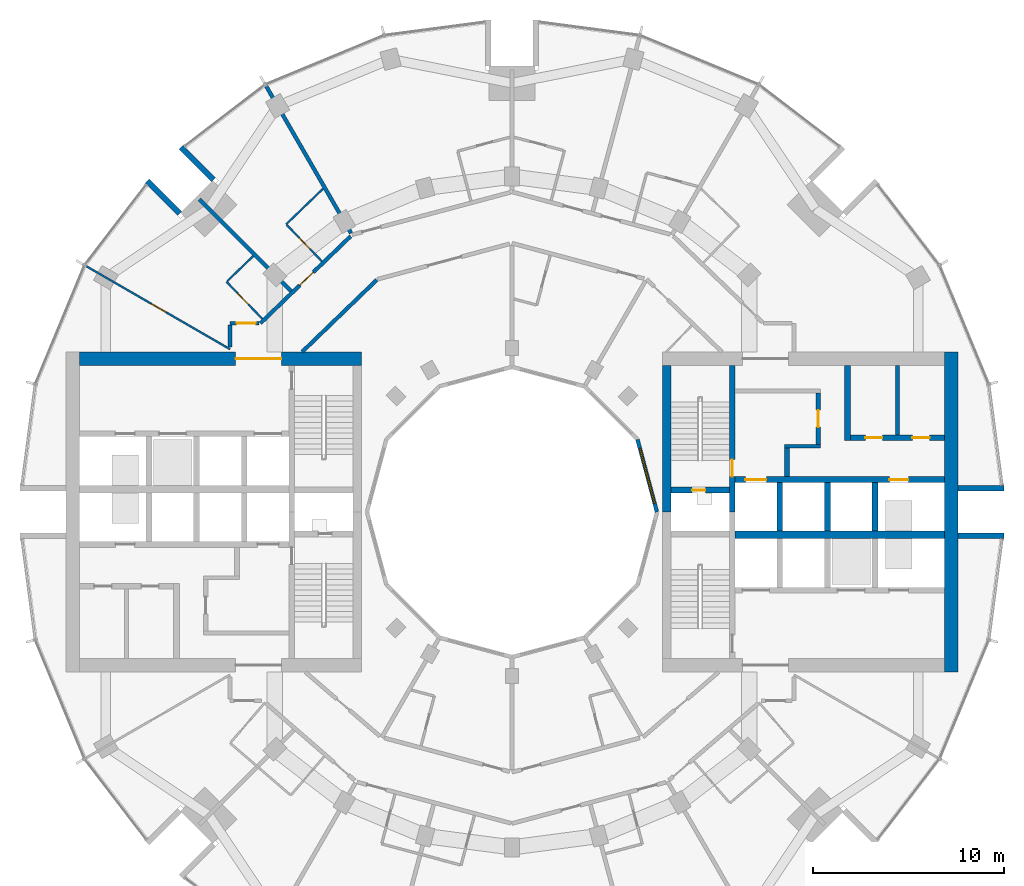
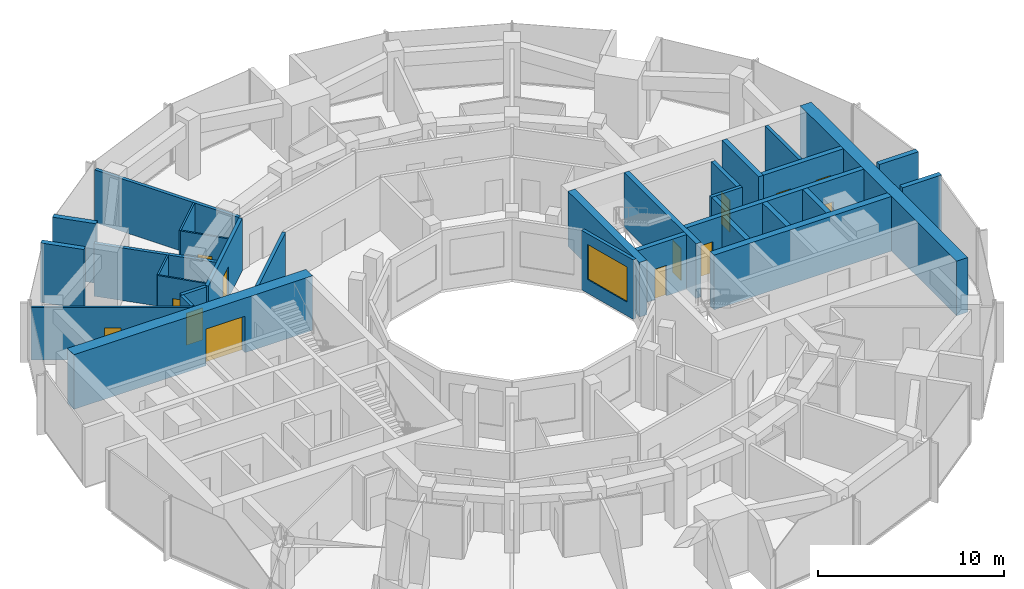
# One storey, part 11 of 15: 32 walls, 13 doors, 1 window, 14 openings.
"""IFC4 building model written with IfcOpenShell, lengths in metres."""

from ifc_helpers import new_model, si_unit, direction, frame, frame_2d, origin, place, context, subcontext, project, spatial, rectangle, extrude, material, layer, layer_set, type_object, element, fill, save


model = new_model("IFC4")

# Units and contexts
model_context = context("Model", 3, precision=1e-05, world=origin(), true_north=direction((0.0, 1.0)))
body_context = subcontext(model_context, "Body", "Model", "MODEL_VIEW")
ifc_project = project(units=[si_unit("LENGTHUNIT", "METRE"), si_unit("AREAUNIT", "SQUARE_METRE"), si_unit("VOLUMEUNIT", "CUBIC_METRE"), si_unit("PLANEANGLEUNIT", "RADIAN"), si_unit("MASSUNIT", "GRAM", prefix="KILO")], contexts=[model_context])

# Site, building, storey
site_placement = place(None, origin())
site = spatial("IfcSite", under=ifc_project, at=site_placement, CompositionType="ELEMENT")
building_placement = place(site_placement, origin())
building = spatial("IfcBuilding", under=site, at=building_placement, Name="Torre Brocal", CompositionType="ELEMENT")
storey_placement = place(building_placement, frame((0.0, 0.0, 122.39990234375)))
storey = spatial("IfcBuildingStorey", under=building, at=storey_placement, Name="L28", CompositionType="ELEMENT", Elevation=122.39990234375)

# Walls
ifc_material_1 = material(Name="Masonry block", Category="masonry")
ifc_layer_1 = layer(ifc_material_1, 0.199951171875)
ifc_layer_set_1 = layer_set([ifc_layer_1], Name="Masonry block")
wall_type_1 = type_object("IfcWallType", Name="CORE PARTITION 200", PredefinedType="PARTITIONING", material=ifc_layer_set_1)
wall_1_placement = place(storey_placement, frame((100.22509765625, 79.050048828125, 0.0), z_axis=(0.0, 0.0, 1.0), x_axis=(0.0, 1.0, 0.0)))
element("IfcWall", 1, at=wall_1_placement, inside=storey, type_object=wall_type_1, Name="Wall CP200", PredefinedType="PARTITIONING", context=body_context, shape_type="SweptSolid", body=[
    extrude(rectangle(XDim=3.64990234375, YDim=0.199951171875, at=frame_2d((1.824951171875, 0.0))), origin(), (0.0, 0.0, 1.0), 3.580078125),
])
ifc_material_2 = material(Name="Concrete C70", Category="concrete")
ifc_layer_2 = layer(ifc_material_2, 0.199951171875)
ifc_layer_set_2 = layer_set([ifc_layer_2], Name="Concrete C70")
wall_type_2 = type_object("IfcWallType", Name="CORE WALL 200 C70", PredefinedType="SHEAR", material=ifc_layer_set_2)
wall_2_placement = place(storey_placement, frame((94.300048828125, 78.449951171875, 0.0), z_axis=(0.0, 0.0, 1.0), x_axis=(1.0, 0.0, 0.0)))
element("IfcWall", 2, at=wall_2_placement, inside=storey, type_object=wall_type_2, Name="Wall CW200-70", PredefinedType="SHEAR", context=body_context, shape_type="SweptSolid", body=[
    extrude(rectangle(XDim=1.89990234375, YDim=0.199951171875, at=frame_2d((0.949951171875, 0.0))), origin(), (0.0, 0.0, 1.0), 3.580078125),
])

# Wall, opening, door
ifc_material_3 = material(Name="Concrete C70", Category="concrete")
ifc_layer_3 = layer(ifc_material_3, 0.25)
ifc_layer_set_3 = layer_set([ifc_layer_3], Name="Concrete C70")
wall_type_3 = type_object("IfcWallType", Name="CORE WALL 250 C70", PredefinedType="SHEAR", material=ifc_layer_set_3)
wall_3_placement = place(storey_placement, frame((96.074951171875, 78.550048828125, 0.0), z_axis=(0.0, 0.0, 1.0), x_axis=(0.0, 1.0, 0.0)))
wall_3 = element("IfcWall", 3, at=wall_3_placement, inside=storey, type_object=wall_type_3, Name="Wall CW250-70", PredefinedType="SHEAR", context=body_context, shape_type="SweptSolid", body=[
    extrude(rectangle(XDim=2.699951171875, YDim=0.25, at=frame_2d((1.35009765625, 0.0))), origin(), (0.0, 0.0, 1.0), 3.580078125),
])
opening_1_placement = place(wall_3_placement, frame((0.89990234375, 0.0, 0.0)))
opening_1 = element("IfcOpeningElement", 4, at=opening_1_placement, cuts=wall_3, Name="Opening E-D15", PredefinedType="OPENING", context=body_context, shape_type="SweptSolid", body=[
    extrude(rectangle(XDim=0.89990234375, YDim=2.10009765625, at=frame_2d((0.449951171875, 1.050048828125))), frame((0.0, 0.135009765625, 0.0), z_axis=(0.0, -1.0, 0.0), x_axis=(1.0, 0.0, 0.0)), (0.0, 0.0, 1.0), 0.27001953125),
])
ifc_material_4 = material(Name="Steel A653", Category="steel")
door_type_1 = type_object("IfcDoorType", Name="LOBBY DOOR FD120 900X2100", OperationType="SINGLE_SWING_RIGHT", PredefinedType="DOOR", material=ifc_material_4)
door_1_placement = place(opening_1_placement, origin())
door_1 = element("IfcDoor", 5, at=door_1_placement, inside=storey, type_object=door_type_1, Name="Door E-D15", OperationType="SINGLE_SWING_LEFT", OverallHeight=2.10009765625, OverallWidth=0.89990234375, PredefinedType="DOOR", context=body_context, shape_type="SweptSolid", body=[
    extrude(rectangle(XDim=0.89990234375, YDim=2.10009765625, at=frame_2d((0.449951171875, 1.050048828125))), frame((0.0, 0.02490234375, 0.0), z_axis=(0.0, -1.0, 0.0), x_axis=(1.0, 0.0, 0.0)), (0.0, 0.0, 1.0), 0.050048828125),
])
fill(opening_1, door_1)

# Wall
wall_4_placement = place(storey_placement, frame((94.425048828125, 76.85009765625, 0.0), z_axis=(0.0, 0.0, 1.0), x_axis=(0.0, 1.0, 0.0)))
element("IfcWall", 6, at=wall_4_placement, inside=storey, type_object=wall_type_3, Name="Wall CW250-70", PredefinedType="SHEAR", context=body_context, shape_type="SweptSolid", body=[
    extrude(rectangle(XDim=1.5, YDim=0.25, at=frame_2d((0.75, 0.0))), origin(), (0.0, 0.0, 1.0), 3.580078125),
])

# Wall, opening, door
ifc_material_5 = material(Name="Concrete C70", Category="concrete")
ifc_layer_4 = layer(ifc_material_5, 0.300048828125)
ifc_layer_set_4 = layer_set([ifc_layer_4], Name="Concrete C70")
wall_type_4 = type_object("IfcWallType", Name="CORE WALL 300 C70", PredefinedType="SHEAR", material=ifc_layer_set_4)
wall_5_placement = place(storey_placement, frame((91.550048828125, 75.0, 0.0), z_axis=(0.0, 0.0, 1.0), x_axis=(0.0, 1.0, 0.0)))
wall_5 = element("IfcWall", 7, at=wall_5_placement, inside=storey, type_object=wall_type_4, Name="Wall CW300-70", PredefinedType="SHEAR", context=body_context, shape_type="SweptSolid", body=[
    extrude(rectangle(XDim=7.699951171875, YDim=0.300048828125, at=frame_2d((3.85009765625, 0.0))), origin(), (0.0, 0.0, 1.0), 3.580078125),
])
opening_2_placement = place(wall_5_placement, frame((1.85009765625, 0.0, 0.0)))
opening_2 = element("IfcOpeningElement", 8, at=opening_2_placement, cuts=wall_5, Name="Opening E-D02", PredefinedType="OPENING", context=body_context, shape_type="SweptSolid", body=[
    extrude(rectangle(XDim=0.89990234375, YDim=2.10009765625, at=frame_2d((0.449951171875, 1.050048828125))), frame((0.0, 0.159912109375, 0.0), z_axis=(0.0, -1.0, 0.0), x_axis=(1.0, 0.0, 0.0)), (0.0, 0.0, 1.0), 0.320068359375),
])
ifc_material_6 = material(Name="Steel A653", Category="steel")
door_type_2 = type_object("IfcDoorType", Name="STAIR DOOR FD120 900X2100", OperationType="SINGLE_SWING_RIGHT", PredefinedType="DOOR", material=ifc_material_6)
door_2_placement = place(opening_2_placement, origin())
door_2 = element("IfcDoor", 9, at=door_2_placement, inside=storey, type_object=door_type_2, Name="Door E-D02", OperationType="SINGLE_SWING_LEFT", OverallHeight=2.10009765625, OverallWidth=0.89990234375, PredefinedType="DOOR", context=body_context, shape_type="SweptSolid", body=[
    extrude(rectangle(XDim=0.89990234375, YDim=2.10009765625, at=frame_2d((0.449951171875, 1.050048828125))), frame((0.0, 0.02490234375, 0.0), z_axis=(0.0, -1.0, 0.0), x_axis=(1.0, 0.0, 0.0)), (0.0, 0.0, 1.0), 0.050048828125),
])
fill(opening_2, door_2)

wall_6_placement = place(storey_placement, frame((88.35009765625, 76.14990234375, 0.0), z_axis=(0.0, 0.0, 1.0), x_axis=(1.0, 0.0, 0.0)))
wall_6 = element("IfcWall", 10, at=wall_6_placement, inside=storey, type_object=wall_type_4, Name="Wall CW300-70", PredefinedType="SHEAR", context=body_context, shape_type="SweptSolid", body=[
    extrude(rectangle(XDim=3.0498046875, YDim=0.300048828125, at=frame_2d((1.52490234375, 0.0))), origin(), (0.0, 0.0, 1.0), 3.580078125),
])
opening_3_placement = place(wall_6_placement, frame((1.10009765625, 0.0, 0.0)))
opening_3 = element("IfcOpeningElement", 11, at=opening_3_placement, cuts=wall_6, Name="Opening E-D01", PredefinedType="OPENING", context=body_context, shape_type="SweptSolid", body=[
    extrude(rectangle(XDim=0.699951171875, YDim=2.0, at=frame_2d((0.35009765625, 1.0))), frame((0.0, 0.159912109375, 0.0), z_axis=(0.0, -1.0, 0.0), x_axis=(1.0, 0.0, 0.0)), (0.0, 0.0, 1.0), 0.320068359375),
])
ifc_material_7 = material(Name="Steel A653", Category="steel")
door_type_3 = type_object("IfcDoorType", Name="RISER DOOR FD120 700X2000", OperationType="SINGLE_SWING_LEFT", PredefinedType="DOOR", material=ifc_material_7)
door_3_placement = place(opening_3_placement, frame((0.699951171875, 0.0, 0.0), z_axis=(0.0, 0.0, 1.0), x_axis=(-1.0, 0.0, 0.0)))
door_3 = element("IfcDoor", 12, at=door_3_placement, inside=storey, type_object=door_type_3, Name="Door E-D01", OperationType="SINGLE_SWING_RIGHT", OverallHeight=2.0, OverallWidth=0.699951171875, PredefinedType="DOOR", context=body_context, shape_type="SweptSolid", body=[
    extrude(rectangle(XDim=0.699951171875, YDim=2.0, at=frame_2d((0.35009765625, 1.0))), frame((0.0, 0.02490234375, 0.0), z_axis=(0.0, -1.0, 0.0), x_axis=(1.0, 0.0, 0.0)), (0.0, 0.0, 1.0), 0.050048828125),
])
fill(opening_3, door_3)

# Wall, openings, doors
wall_7_placement = place(storey_placement, frame((91.699951171875, 76.699951171875, 0.0), z_axis=(0.0, 0.0, 1.0), x_axis=(1.0, 0.0, 0.0)))
wall_7 = element("IfcWall", 13, at=wall_7_placement, inside=storey, type_object=wall_type_4, Name="Wall CW300-70", PredefinedType="SHEAR", context=body_context, shape_type="SweptSolid", body=[
    extrude(rectangle(XDim=11.0, YDim=0.300048828125, at=frame_2d((5.5, 0.0))), origin(), (0.0, 0.0, 1.0), 3.580078125),
])
opening_4_placement = place(wall_7_placement, frame((0.550048828125, 0.0, 0.0)))
opening_4 = element("IfcOpeningElement", 14, at=opening_4_placement, cuts=wall_7, Name="Opening LD", PredefinedType="OPENING", context=body_context, shape_type="SweptSolid", body=[
    extrude(rectangle(XDim=1.10009765625, YDim=2.10009765625, at=frame_2d((0.550048828125, 1.050048828125))), frame((0.0, 0.159912109375, 0.0), z_axis=(0.0, -1.0, 0.0), x_axis=(1.0, 0.0, 0.0)), (0.0, 0.0, 1.0), 0.320068359375),
])
opening_5_placement = place(wall_7_placement, frame((8.10009765625, 0.0, 0.0)))
opening_5 = element("IfcOpeningElement", 15, at=opening_5_placement, cuts=wall_7, Name="Opening LD10", PredefinedType="OPENING", context=body_context, shape_type="SweptSolid", body=[
    extrude(rectangle(XDim=1.0, YDim=2.10009765625, at=frame_2d((0.5, 1.050048828125))), frame((0.0, 0.159912109375, 0.0), z_axis=(0.0, -1.0, 0.0), x_axis=(1.0, 0.0, 0.0)), (0.0, 0.0, 1.0), 0.320068359375),
])
ifc_material_8 = material(Name="Stainless steel AISI 316", Category="steel")
door_type_4 = type_object("IfcDoorType", Name="LIFT LANDING DOOR 1000X2100", OperationType="DOUBLE_DOOR_SLIDING", PredefinedType="DOOR", material=ifc_material_8)
door_4_placement = place(opening_5_placement, origin())
door_4 = element("IfcDoor", 16, at=door_4_placement, inside=storey, type_object=door_type_4, Name="Door LD10", OperationType="DOUBLE_DOOR_SLIDING", OverallHeight=2.10009765625, OverallWidth=1.0, PredefinedType="DOOR", context=body_context, shape_type="SweptSolid", body=[
    extrude(rectangle(XDim=1.0, YDim=2.10009765625, at=frame_2d((0.5, 1.050048828125))), frame((0.0, 0.02490234375, 0.0), z_axis=(0.0, -1.0, 0.0), x_axis=(1.0, 0.0, 0.0)), (0.0, 0.0, 1.0), 0.050048828125),
])
fill(opening_5, door_4)
ifc_material_9 = material(Name="Stainless steel AISI 316", Category="steel")
door_type_5 = type_object("IfcDoorType", Name="LIFT LANDING DOOR 1100X2100", OperationType="DOUBLE_DOOR_SLIDING", PredefinedType="DOOR", material=ifc_material_9)
door_5_placement = place(opening_4_placement, origin())
door_5 = element("IfcDoor", 17, at=door_5_placement, inside=storey, type_object=door_type_5, Name="Door LD", OperationType="DOUBLE_DOOR_SLIDING", OverallHeight=2.10009765625, OverallWidth=1.10009765625, PredefinedType="DOOR", context=body_context, shape_type="SweptSolid", body=[
    extrude(rectangle(XDim=1.10009765625, YDim=2.10009765625, at=frame_2d((0.550048828125, 1.050048828125))), frame((0.0, 0.02490234375, 0.0), z_axis=(0.0, -1.0, 0.0), x_axis=(1.0, 0.0, 0.0)), (0.0, 0.0, 1.0), 0.050048828125),
])
fill(opening_4, door_5)

# Walls
for number, where, z_axis, x_axis, name in (
    (18, (94.050048828125, 74.0, 0.0), (0.0, 0.0, 1.0), (0.0, 1.0, 0.0), "Wall CW300-70"),
    (19, (96.550048828125, 74.0, 0.0), (0.0, 0.0, 1.0), (0.0, 1.0, 0.0), "Wall CW300-70"),
    (20, (99.050048828125, 74.0, 0.0), (0.0, 0.0, 1.0), (0.0, 1.0, 0.0), "Wall CW300-70"),
):
    element("IfcWall", number, at=place(storey_placement, frame(where, z_axis=z_axis, x_axis=x_axis)), inside=storey, type_object=wall_type_4, Name=name, PredefinedType="SHEAR", context=body_context, shape_type="SweptSolid", body=[
        extrude(rectangle(XDim=2.550048828125, YDim=0.300048828125, at=frame_2d((1.27490234375, 0.0))), origin(), (0.0, 0.0, 1.0), 3.580078125),
    ])
wall_8_placement = place(storey_placement, frame((97.60009765625, 78.75, 0.0), z_axis=(0.0, 0.0, 1.0), x_axis=(0.0, 1.0, 0.0)))
element("IfcWall", 21, at=wall_8_placement, inside=storey, type_object=wall_type_4, Name="Wall CW300-70", PredefinedType="SHEAR", context=body_context, shape_type="SweptSolid", body=[
    extrude(rectangle(XDim=3.949951171875, YDim=0.300048828125, at=frame_2d((1.97509765625, 0.0))), origin(), (0.0, 0.0, 1.0), 3.580078125),
])

# Wall, openings, doors
wall_9_placement = place(storey_placement, frame((97.75, 78.89990234375, 0.0), z_axis=(0.0, 0.0, 1.0), x_axis=(1.0, 0.0, 0.0)))
wall_9 = element("IfcWall", 22, at=wall_9_placement, inside=storey, type_object=wall_type_4, Name="Wall CW300-70", PredefinedType="SHEAR", context=body_context, shape_type="SweptSolid", body=[
    extrude(rectangle(XDim=4.949951171875, YDim=0.300048828125, at=frame_2d((2.47509765625, 0.0))), origin(), (0.0, 0.0, 1.0), 3.580078125),
])
opening_6_placement = place(wall_9_placement, frame((0.78759765625, 0.0, 0.0)))
opening_6 = element("IfcOpeningElement", 23, at=opening_6_placement, cuts=wall_9, Name="Opening E-D05", PredefinedType="OPENING", context=body_context, shape_type="SweptSolid", body=[
    extrude(rectangle(XDim=0.89990234375, YDim=2.10009765625, at=frame_2d((0.449951171875, 1.050048828125))), frame((0.0, 0.159912109375, 0.0), z_axis=(0.0, -1.0, 0.0), x_axis=(1.0, 0.0, 0.0)), (0.0, 0.0, 1.0), 0.320068359375),
])
opening_7_placement = place(wall_9_placement, frame((3.262451171875, 0.0, 0.0)))
opening_7 = element("IfcOpeningElement", 24, at=opening_7_placement, cuts=wall_9, Name="Opening E-D06", PredefinedType="OPENING", context=body_context, shape_type="SweptSolid", body=[
    extrude(rectangle(XDim=0.89990234375, YDim=2.10009765625, at=frame_2d((0.449951171875, 1.050048828125))), frame((0.0, 0.159912109375, 0.0), z_axis=(0.0, -1.0, 0.0), x_axis=(1.0, 0.0, 0.0)), (0.0, 0.0, 1.0), 0.320068359375),
])
ifc_material_10 = material(Name="Steel A653", Category="steel")
door_type_6 = type_object("IfcDoorType", Name="ROOM DOOR FD30S 900X2100", OperationType="SINGLE_SWING_LEFT", PredefinedType="DOOR", material=ifc_material_10)
door_6_placement = place(opening_6_placement, origin())
door_6 = element("IfcDoor", 25, at=door_6_placement, inside=storey, type_object=door_type_6, Name="Door E-D05", OperationType="SINGLE_SWING_RIGHT", OverallHeight=2.10009765625, OverallWidth=0.89990234375, PredefinedType="DOOR", context=body_context, shape_type="SweptSolid", body=[
    extrude(rectangle(XDim=0.89990234375, YDim=2.10009765625, at=frame_2d((0.449951171875, 1.050048828125))), frame((0.0, 0.02490234375, 0.0), z_axis=(0.0, -1.0, 0.0), x_axis=(1.0, 0.0, 0.0)), (0.0, 0.0, 1.0), 0.050048828125),
])
fill(opening_6, door_6)
door_7_placement = place(opening_7_placement, origin())
door_7 = element("IfcDoor", 26, at=door_7_placement, inside=storey, type_object=door_type_6, Name="Door E-D06", OperationType="SINGLE_SWING_LEFT", OverallHeight=2.10009765625, OverallWidth=0.89990234375, PredefinedType="DOOR", context=body_context, shape_type="SweptSolid", body=[
    extrude(rectangle(XDim=0.89990234375, YDim=2.10009765625, at=frame_2d((0.449951171875, 1.050048828125))), frame((0.0, 0.02490234375, 0.0), z_axis=(0.0, -1.0, 0.0), x_axis=(1.0, 0.0, 0.0)), (0.0, 0.0, 1.0), 0.050048828125),
])
fill(opening_7, door_7)

# Walls
ifc_material_11 = material(Name="Concrete C70", Category="concrete")
ifc_layer_5 = layer(ifc_material_11, 0.39990234375)
ifc_layer_set_5 = layer_set([ifc_layer_5], Name="Concrete C70")
wall_type_5 = type_object("IfcWallType", Name="CORE WALL 400 C70", PredefinedType="SHEAR", material=ifc_layer_set_5)
wall_10_placement = place(storey_placement, frame((91.699951171875, 73.800048828125, 0.0), z_axis=(0.0, 0.0, 1.0), x_axis=(1.0, 0.0, 0.0)))
element("IfcWall", 27, at=wall_10_placement, inside=storey, type_object=wall_type_5, Name="Wall CW400-70", PredefinedType="SHEAR", context=body_context, shape_type="SweptSolid", body=[
    extrude(rectangle(XDim=11.0, YDim=0.39990234375, at=frame_2d((5.5, 0.0))), origin(), (0.0, 0.0, 1.0), 3.580078125),
])
ifc_material_12 = material(Name="Concrete C70", Category="concrete")
ifc_layer_6 = layer(ifc_material_12, 0.449951171875)
ifc_layer_set_6 = layer_set([ifc_layer_6], Name="Concrete C70")
wall_type_6 = type_object("IfcWallType", Name="CORE WALL 450 C70", PredefinedType="SHEAR", material=ifc_layer_set_6)
wall_11_placement = place(storey_placement, frame((88.125, 75.0, 0.0), z_axis=(0.0, 0.0, 1.0), x_axis=(0.0, 1.0, 0.0)))
element("IfcWall", 28, at=wall_11_placement, inside=storey, type_object=wall_type_6, Name="Wall CW450-70", PredefinedType="SHEAR", context=body_context, shape_type="SweptSolid", body=[
    extrude(rectangle(XDim=7.699951171875, YDim=0.449951171875, at=frame_2d((3.85009765625, 0.0))), origin(), (0.0, 0.0, 1.0), 3.580078125),
])
ifc_material_13 = material(Name="Concrete C70", Category="concrete")
ifc_layer_7 = layer(ifc_material_13, 0.699951171875)
ifc_layer_set_7 = layer_set([ifc_layer_7], Name="Concrete C70")
wall_type_7 = type_object("IfcWallType", Name="CORE WALL 700 C70", PredefinedType="SHEAR", material=ifc_layer_set_7)
wall_12_placement = place(storey_placement, frame((103.050048828125, 66.60009765625, 0.0), z_axis=(0.0, 0.0, 1.0), x_axis=(0.0, 1.0, 0.0)))
element("IfcWall", 29, at=wall_12_placement, inside=storey, type_object=wall_type_7, Name="Wall CW700-70", PredefinedType="SHEAR", context=body_context, shape_type="SweptSolid", body=[
    extrude(rectangle(XDim=16.7998046875, YDim=0.699951171875, at=frame_2d((8.39990234375, 0.0))), origin(), (0.0, 0.0, 1.0), 3.580078125),
])

# Wall, opening, door
wall_13_placement = place(storey_placement, frame((72.10009765625, 83.050048828125, 0.0), z_axis=(0.0, 0.0, 1.0), x_axis=(-1.0, 0.0, 0.0)))
wall_13 = element("IfcWall", 30, at=wall_13_placement, inside=storey, type_object=wall_type_7, Name="Wall CW700-70", PredefinedType="SHEAR", context=body_context, shape_type="SweptSolid", body=[
    extrude(rectangle(XDim=14.800048828125, YDim=0.699951171875, at=frame_2d((7.39990234375, 0.0))), origin(), (0.0, 0.0, 1.0), 3.580078125),
])
opening_8_placement = place(wall_13_placement, frame((4.199951171875, 0.0, 0.0)))
opening_8 = element("IfcOpeningElement", 31, at=opening_8_placement, cuts=wall_13, Name="Opening W-D27", PredefinedType="OPENING", context=body_context, shape_type="SweptSolid", body=[
    extrude(rectangle(XDim=2.39990234375, YDim=2.39990234375, at=frame_2d((1.199951171875, 1.199951171875))), frame((0.0, 0.35986328125, 0.0), z_axis=(0.0, -1.0, 0.0), x_axis=(1.0, 0.0, 0.0)), (0.0, 0.0, 1.0), 0.719970703125),
])
ifc_material_14 = material(Name="Steel A653", Category="steel")
door_type_7 = type_object("IfcDoorType", Name="DOUBLE FIRE DOOR FD90 2400X2400", OperationType="DOUBLE_DOOR_SINGLE_SWING", PredefinedType="DOOR", material=ifc_material_14)
door_8_placement = place(opening_8_placement, origin())
door_8 = element("IfcDoor", 32, at=door_8_placement, inside=storey, type_object=door_type_7, Name="Door W-D27", OperationType="DOUBLE_DOOR_SINGLE_SWING", OverallHeight=2.39990234375, OverallWidth=2.39990234375, PredefinedType="DOOR", context=body_context, shape_type="SweptSolid", body=[
    extrude(rectangle(XDim=2.39990234375, YDim=2.39990234375, at=frame_2d((1.199951171875, 1.199951171875))), frame((0.0, 0.02490234375, 0.0), z_axis=(0.0, -1.0, 0.0), x_axis=(1.0, 0.0, 0.0)), (0.0, 0.0, 1.0), 0.050048828125),
])
fill(opening_8, door_8)

# Walls
ifc_material_15 = material(Name="Concrete C70", Category="concrete")
ifc_layer_8 = layer(ifc_material_15, 0.300048828125)
ifc_layer_set_8 = layer_set([ifc_layer_8], Name="Concrete C70")
wall_type_8 = type_object("IfcWallType", Name="NOTCH RETURN WALL 300 C70", PredefinedType="NOTDEFINED", material=ifc_layer_set_8)
for number, where, z_axis, x_axis, name in (
    (33, (103.39990234375, 73.75, 0.0), (0.0, 0.0, 1.0), (1.0, 0.0, 0.0), "NOTCH RETURN WALL"),
    (34, (103.39990234375, 76.25, 0.0), (0.0, 0.0, 1.0), (1.0, 0.0, 0.0), "NOTCH RETURN WALL"),
    (35, (64.337646484375, 92.43017578125, 0.0), (0.0, 0.0, 1.0), (-0.707106781187, 0.707106781187, 0.0), "NOTCH RETURN WALL"),
    (36, (62.56982421875, 90.662353515625, 0.0), (0.0, 0.0, 1.0), (-0.707106781187, 0.707106781187, 0.0), "NOTCH RETURN WALL"),
):
    element("IfcWall", number, at=place(storey_placement, frame(where, z_axis=z_axis, x_axis=x_axis)), inside=storey, type_object=wall_type_8, Name=name, PredefinedType="NOTDEFINED", context=body_context, shape_type="SweptSolid", body=[
        extrude(rectangle(XDim=2.415771484375, YDim=0.300048828125, at=frame_2d((1.2080078125, 0.0))), origin(), (0.0, 0.0, 1.0), 3.900146484375),
    ])

# Wall, opening, door
ifc_material_16 = material(Name="Gypsum board", Category="Gypsum")
ifc_layer_9 = layer(ifc_material_16, 0.10009765625)
ifc_layer_set_9 = layer_set([ifc_layer_9], Name="Gypsum board")
wall_type_9 = type_object("IfcWallType", Name="PARTITION 100", PredefinedType="PARTITIONING", material=ifc_layer_set_9)
wall_14_placement = place(storey_placement, frame((57.65869140625, 87.89892578125, 0.0), z_axis=(0.0, 0.0, 1.0), x_axis=(0.86602264145, -0.500004784474, 0.0)))
wall_14 = element("IfcWall", 37, at=wall_14_placement, inside=storey, type_object=wall_type_9, Name="ROOM PARTITION", PredefinedType="PARTITIONING", context=body_context, shape_type="SweptSolid", body=[
    extrude(rectangle(XDim=8.7080078125, YDim=0.10009765625, at=frame_2d((4.35400390625, 0.0))), origin(), (0.0, 0.0, 1.0), 3.4501953125),
])
opening_9_placement = place(wall_14_placement, frame((3.928955078125, 0.0, 0.0)))
opening_9 = element("IfcOpeningElement", 38, at=opening_9_placement, cuts=wall_14, Name="Opening E01-D13", PredefinedType="OPENING", context=body_context, shape_type="SweptSolid", body=[
    extrude(rectangle(XDim=0.89990234375, YDim=2.10009765625, at=frame_2d((0.449951171875, 1.050048828125))), frame((0.0, 0.06005859375, 0.0), z_axis=(0.0, -1.0, 0.0), x_axis=(1.0, 0.0, 0.0)), (0.0, 0.0, 1.0), 0.1201171875),
])
ifc_material_17 = material(Name="Timber", Category="wood")
door_type_8 = type_object("IfcDoorType", Name="ROOM DOOR 900X2100", OperationType="SINGLE_SWING_LEFT", PredefinedType="DOOR", material=ifc_material_17)
door_9_placement = place(opening_9_placement, frame((0.89990234375, 0.0, 0.0), z_axis=(0.0, 0.0, 1.0), x_axis=(-1.0, 0.0, 0.0)))
door_9 = element("IfcDoor", 39, at=door_9_placement, inside=storey, type_object=door_type_8, Name="E01-D13", OperationType="SINGLE_SWING_LEFT", OverallHeight=2.10009765625, OverallWidth=0.89990234375, PredefinedType="DOOR", context=body_context, shape_type="SweptSolid", body=[
    extrude(rectangle(XDim=0.89990234375, YDim=2.10009765625, at=frame_2d((0.449951171875, 1.050048828125))), frame((0.0, 0.02490234375, 0.0), z_axis=(0.0, -1.0, 0.0), x_axis=(1.0, 0.0, 0.0)), (0.0, 0.0, 1.0), 0.050048828125),
])
fill(opening_9, door_9)

# Wall
wall_15_placement = place(storey_placement, frame((65.058837890625, 87.11376953125, 0.0), z_axis=(0.0, 0.0, 1.0), x_axis=(0.719715847356, 0.694268751324, 0.0)))
element("IfcWall", 40, at=wall_15_placement, inside=storey, type_object=wall_type_9, Name="BATHROOM WALL", PredefinedType="PARTITIONING", context=body_context, shape_type="SweptSolid", body=[
    extrude(rectangle(XDim=1.899658203125, YDim=0.10009765625, at=frame_2d((0.94970703125, 0.0))), origin(), (0.0, 0.0, 1.0), 3.4501953125),
])

# Wall, opening, door
wall_16_placement = place(storey_placement, frame((65.02294921875, 87.0791015625, 0.0), z_axis=(0.0, 0.0, 1.0), x_axis=(0.694287838235, -0.719697434815, 0.0)))
wall_16 = element("IfcWall", 41, at=wall_16_placement, inside=storey, type_object=wall_type_9, Name="BATHROOM WALL", PredefinedType="PARTITIONING", context=body_context, shape_type="SweptSolid", body=[
    extrude(rectangle(XDim=2.699951171875, YDim=0.10009765625, at=frame_2d((1.35009765625, 0.0))), origin(), (0.0, 0.0, 1.0), 3.4501953125),
])
opening_10_placement = place(wall_16_placement, frame((0.849853515625, 0.0, 0.0)))
opening_10 = element("IfcOpeningElement", 42, at=opening_10_placement, cuts=wall_16, Name="Opening E01-D12", PredefinedType="OPENING", context=body_context, shape_type="SweptSolid", body=[
    extrude(rectangle(XDim=0.800048828125, YDim=2.10009765625, at=frame_2d((0.39990234375, 1.050048828125))), frame((0.0, 0.06005859375, 0.0), z_axis=(0.0, -1.0, 0.0), x_axis=(1.0, 0.0, 0.0)), (0.0, 0.0, 1.0), 0.1201171875),
])
ifc_material_18 = material(Name="Timber", Category="wood")
door_type_9 = type_object("IfcDoorType", Name="BATHROOM DOOR 800X2100", OperationType="SINGLE_SWING_LEFT", PredefinedType="DOOR", material=ifc_material_18)
door_10_placement = place(opening_10_placement, origin())
door_10 = element("IfcDoor", 43, at=door_10_placement, inside=storey, type_object=door_type_9, Name="E01-D12", OperationType="SINGLE_SWING_LEFT", OverallHeight=2.10009765625, OverallWidth=0.800048828125, PredefinedType="DOOR", context=body_context, shape_type="SweptSolid", body=[
    extrude(rectangle(XDim=0.800048828125, YDim=2.10009765625, at=frame_2d((0.39990234375, 1.050048828125))), frame((0.0, 0.02490234375, 0.0), z_axis=(0.0, -1.0, 0.0), x_axis=(1.0, 0.0, 0.0)), (0.0, 0.0, 1.0), 0.050048828125),
])
fill(opening_10, door_10)

wall_17_placement = place(storey_placement, frame((68.184814453125, 90.06005859375, 0.0), z_axis=(0.0, 0.0, 1.0), x_axis=(0.69446127412, -0.719530081892, 0.0)))
wall_17 = element("IfcWall", 44, at=wall_17_placement, inside=storey, type_object=wall_type_9, Name="BATHROOM WALL", PredefinedType="PARTITIONING", context=body_context, shape_type="SweptSolid", body=[
    extrude(rectangle(XDim=2.64892578125, YDim=0.10009765625, at=frame_2d((1.324462890625, 0.0))), origin(), (0.0, 0.0, 1.0), 3.4501953125),
])
opening_11_placement = place(wall_17_placement, frame((0.94970703125, 0.0, 0.0)))
opening_11 = element("IfcOpeningElement", 45, at=opening_11_placement, cuts=wall_17, Name="Opening E01-D10", PredefinedType="OPENING", context=body_context, shape_type="SweptSolid", body=[
    extrude(rectangle(XDim=0.800048828125, YDim=2.10009765625, at=frame_2d((0.39990234375, 1.050048828125))), frame((0.0, 0.06005859375, 0.0), z_axis=(0.0, -1.0, 0.0), x_axis=(1.0, 0.0, 0.0)), (0.0, 0.0, 1.0), 0.1201171875),
])
door_11_placement = place(opening_11_placement, origin())
door_11 = element("IfcDoor", 46, at=door_11_placement, inside=storey, type_object=door_type_9, Name="E01-D10", OperationType="SINGLE_SWING_RIGHT", OverallHeight=2.10009765625, OverallWidth=0.800048828125, PredefinedType="DOOR", context=body_context, shape_type="SweptSolid", body=[
    extrude(rectangle(XDim=0.800048828125, YDim=2.10009765625, at=frame_2d((0.39990234375, 1.050048828125))), frame((0.0, 0.02490234375, 0.0), z_axis=(0.0, -1.0, 0.0), x_axis=(1.0, 0.0, 0.0)), (0.0, 0.0, 1.0), 0.050048828125),
])
fill(opening_11, door_11)

# Walls
wall_18_placement = place(storey_placement, frame((68.150146484375, 90.095947265625, 0.0), z_axis=(0.0, 0.0, 1.0), x_axis=(0.719667544954, 0.694318820672, 0.0)))
element("IfcWall", 47, at=wall_18_placement, inside=storey, type_object=wall_type_9, Name="BATHROOM WALL", PredefinedType="PARTITIONING", context=body_context, shape_type="SweptSolid", body=[
    extrude(rectangle(XDim=2.68701171875, YDim=0.10009765625, at=frame_2d((1.343505859375, 0.0))), origin(), (0.0, 0.0, 1.0), 3.4501953125),
])
ifc_material_19 = material(Name="Gypsum board", Category="Gypsum")
ifc_layer_10 = layer(ifc_material_19, 0.199951171875)
ifc_layer_set_10 = layer_set([ifc_layer_10], Name="Gypsum board")
wall_type_10 = type_object("IfcWallType", Name="PARTITION 200 EI60", PredefinedType="PARTITIONING", material=ifc_layer_set_10)
wall_19_placement = place(storey_placement, frame((63.598388671875, 91.408203125, 0.0), z_axis=(0.0, 0.0, 1.0), x_axis=(0.706963264491, -0.707250268759, 0.0)))
element("IfcWall", 48, at=wall_19_placement, inside=storey, type_object=wall_type_10, Name="BATHROOM WALL", PredefinedType="PARTITIONING", context=body_context, shape_type="SweptSolid", body=[
    extrude(rectangle(XDim=6.80517578125, YDim=0.199951171875, at=frame_2d((3.402587890625, 0.0))), origin(), (0.0, 0.0, 1.0), 3.4501953125),
])
wall_20_placement = place(storey_placement, frame((65.199951171875, 83.64990234375, 0.0), z_axis=(0.0, 0.0, 1.0), x_axis=(0.0, 1.0, 0.0)))
element("IfcWall", 49, at=wall_20_placement, inside=storey, type_object=wall_type_10, Name="GUESTROOM CORRIDOR WALL", PredefinedType="PARTITIONING", context=body_context, shape_type="SweptSolid", body=[
    extrude(rectangle(XDim=1.150146484375, YDim=0.199951171875, at=frame_2d((0.5751953125, 0.0))), origin(), (0.0, 0.0, 1.0), 3.4501953125),
])

# Wall, opening, door
wall_21_placement = place(storey_placement, frame((65.199951171875, 84.89990234375, 0.0), z_axis=(0.0, 0.0, 1.0), x_axis=(1.0, 0.0, 0.0)))
wall_21 = element("IfcWall", 50, at=wall_21_placement, inside=storey, type_object=wall_type_10, Name="GUESTROOM CORRIDOR WALL", PredefinedType="PARTITIONING", context=body_context, shape_type="SweptSolid", body=[
    extrude(rectangle(XDim=1.537109375, YDim=0.199951171875, at=frame_2d((0.7685546875, 0.0))), origin(), (0.0, 0.0, 1.0), 3.4501953125),
])
opening_12_placement = place(wall_21_placement, frame((0.346923828125, 0.0, 0.0)))
opening_12 = element("IfcOpeningElement", 51, at=opening_12_placement, cuts=wall_21, Name="Opening E01-D11", PredefinedType="OPENING", context=body_context, shape_type="SweptSolid", body=[
    extrude(rectangle(XDim=1.0, YDim=2.10009765625, at=frame_2d((0.5, 1.050048828125))), frame((0.0, 0.10986328125, 0.0), z_axis=(0.0, -1.0, 0.0), x_axis=(1.0, 0.0, 0.0)), (0.0, 0.0, 1.0), 0.219970703125),
])
ifc_material_20 = material(Name="Timber", Category="wood")
door_type_10 = type_object("IfcDoorType", Name="FLAT ENTRY DOOR FD30S 1000X2100", OperationType="SINGLE_SWING_RIGHT", PredefinedType="DOOR", material=ifc_material_20)
door_12_placement = place(opening_12_placement, origin())
door_12 = element("IfcDoor", 52, at=door_12_placement, inside=storey, type_object=door_type_10, Name="E01-D11", OperationType="SINGLE_SWING_LEFT", OverallHeight=2.10009765625, OverallWidth=1.0, PredefinedType="DOOR", context=body_context, shape_type="SweptSolid", body=[
    extrude(rectangle(XDim=1.0, YDim=2.10009765625, at=frame_2d((0.5, 1.050048828125))), frame((0.0, 0.02490234375, 0.0), z_axis=(0.0, -1.0, 0.0), x_axis=(1.0, 0.0, 0.0)), (0.0, 0.0, 1.0), 0.050048828125),
])
fill(opening_12, door_12)

wall_22_placement = place(storey_placement, frame((66.796630859375, 84.900390625, 0.0), z_axis=(0.0, 0.0, 1.0), x_axis=(0.719692092412, 0.694293376116, 0.0)))
wall_22 = element("IfcWall", 53, at=wall_22_placement, inside=storey, type_object=wall_type_10, Name="GUESTROOM CORRIDOR WALL", PredefinedType="PARTITIONING", context=body_context, shape_type="SweptSolid", body=[
    extrude(rectangle(XDim=6.58447265625, YDim=0.199951171875, at=frame_2d((3.292236328125, 0.0))), origin(), (0.0, 0.0, 1.0), 3.4501953125),
])
opening_13_placement = place(wall_22_placement, frame((2.8662109375, 0.0, 0.0)))
opening_13 = element("IfcOpeningElement", 54, at=opening_13_placement, cuts=wall_22, Name="Opening E01-D09", PredefinedType="OPENING", context=body_context, shape_type="SweptSolid", body=[
    extrude(rectangle(XDim=1.0, YDim=2.10009765625, at=frame_2d((0.5, 1.050048828125))), frame((0.0, 0.10986328125, 0.0), z_axis=(0.0, -1.0, 0.0), x_axis=(1.0, 0.0, 0.0)), (0.0, 0.0, 1.0), 0.219970703125),
])
door_13_placement = place(opening_13_placement, origin())
door_13 = element("IfcDoor", 55, at=door_13_placement, inside=storey, type_object=door_type_10, Name="E01-D09", OperationType="SINGLE_SWING_LEFT", OverallHeight=2.10009765625, OverallWidth=1.0, PredefinedType="DOOR", context=body_context, shape_type="SweptSolid", body=[
    extrude(rectangle(XDim=1.0, YDim=2.10009765625, at=frame_2d((0.5, 1.050048828125))), frame((0.0, 0.02490234375, 0.0), z_axis=(0.0, -1.0, 0.0), x_axis=(1.0, 0.0, 0.0)), (0.0, 0.0, 1.0), 0.050048828125),
])
fill(opening_13, door_13)

# Walls
wall_23_placement = place(storey_placement, frame((67.102294921875, 97.342041015625, 0.0), z_axis=(0.0, 0.0, 1.0), x_axis=(0.499927298089, -0.866067374183, 0.0)))
element("IfcWall", 56, at=wall_23_placement, inside=storey, type_object=wall_type_10, Name="BATHROOM WALL", PredefinedType="PARTITIONING", context=body_context, shape_type="SweptSolid", body=[
    extrude(rectangle(XDim=8.906982421875, YDim=0.199951171875, at=frame_2d((4.45361328125, 0.0))), origin(), (0.0, 0.0, 1.0), 3.4501953125),
])
wall_24_placement = place(storey_placement, frame((68.9873046875, 83.39990234375, 0.0), z_axis=(0.0, 0.0, 1.0), x_axis=(0.719586298962, 0.694403022997, 0.0)))
element("IfcWall", 57, at=wall_24_placement, inside=storey, type_object=wall_type_10, Name="GUESTROOM CORRIDOR WALL", PredefinedType="PARTITIONING", context=body_context, shape_type="SweptSolid", body=[
    extrude(rectangle(XDim=5.438720703125, YDim=0.199951171875, at=frame_2d((2.71923828125, 0.0))), origin(), (0.0, 0.0, 1.0), 3.4501953125),
])

# Wall, opening, window
ifc_material_21 = material(Name="Concrete C40", Category="concrete")
ifc_layer_11 = layer(ifc_material_21, 0.199951171875)
ifc_layer_set_11 = layer_set([ifc_layer_11], Name="Concrete C40")
wall_type_11 = type_object("IfcWallType", Name="WELL FACADE WALL 200", PredefinedType="NOTDEFINED", material=ifc_layer_set_11)
wall_25_placement = place(storey_placement, frame((87.603515625, 75.0, 0.0), z_axis=(0.0, 0.0, 1.0), x_axis=(-0.258789828301, 0.965933654434, 0.0)))
wall_25 = element("IfcWall", 58, at=wall_25_placement, inside=storey, type_object=wall_type_11, Name="WELL FACADE WALL", PredefinedType="NOTDEFINED", context=body_context, shape_type="SweptSolid", body=[
    extrude(rectangle(XDim=3.935791015625, YDim=0.199951171875, at=frame_2d((1.9677734375, 0.0))), origin(), (0.0, 0.0, 1.0), 3.900146484375),
])
opening_14_placement = place(wall_25_placement, frame((0.468017578125, 0.0, 0.89990234375)))
opening_14 = element("IfcOpeningElement", 59, at=opening_14_placement, cuts=wall_25, Name="Opening W1", PredefinedType="OPENING", context=body_context, shape_type="SweptSolid", body=[
    extrude(rectangle(XDim=3.0, YDim=2.300048828125, at=frame_2d((1.5, 1.14990234375))), frame((0.0, 0.10986328125, 0.0), z_axis=(0.0, -1.0, 0.0), x_axis=(1.0, 0.0, 0.0)), (0.0, 0.0, 1.0), 0.219970703125),
])
ifc_material_22 = material(Name="Aluminium and glass", Category="aluminium")
window_type = type_object("IfcWindowType", Name="WELL WINDOW 3000X2300", PartitioningType="SINGLE_PANEL", PredefinedType="WINDOW", material=ifc_material_22)
window_placement = place(opening_14_placement, origin())
window = element("IfcWindow", 60, at=window_placement, inside=storey, type_object=window_type, Name="WELL WINDOW 3000X2300", OverallHeight=2.300048828125, OverallWidth=3.0, PartitioningType="SINGLE_PANEL", PredefinedType="WINDOW", context=body_context, shape_type="SweptSolid", body=[
    extrude(rectangle(XDim=3.0, YDim=2.300048828125, at=frame_2d((1.5, 1.14990234375))), frame((0.0, 0.030029296875, 0.0), z_axis=(0.0, -1.0, 0.0), x_axis=(1.0, 0.0, 0.0)), (0.0, 0.0, 1.0), 0.06005859375),
])
fill(opening_14, window)

save(model, "model.ifc")
